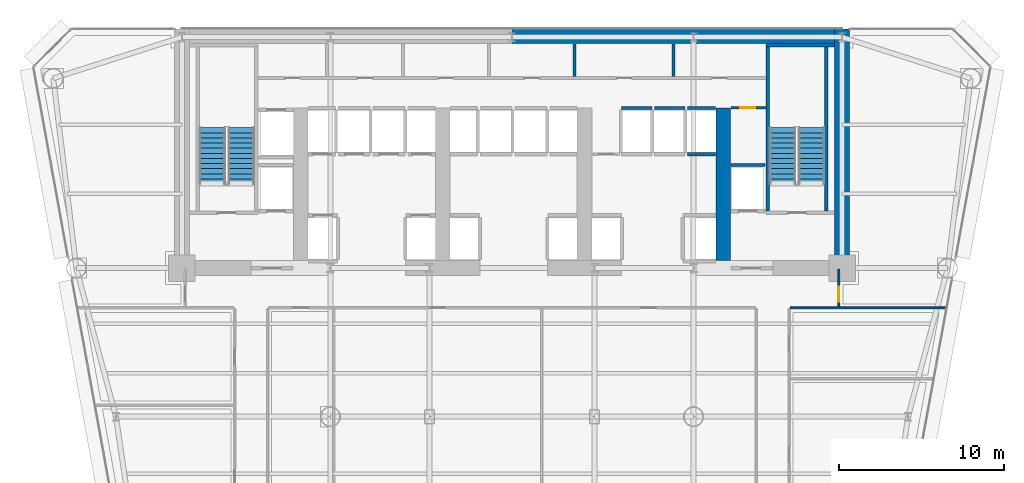
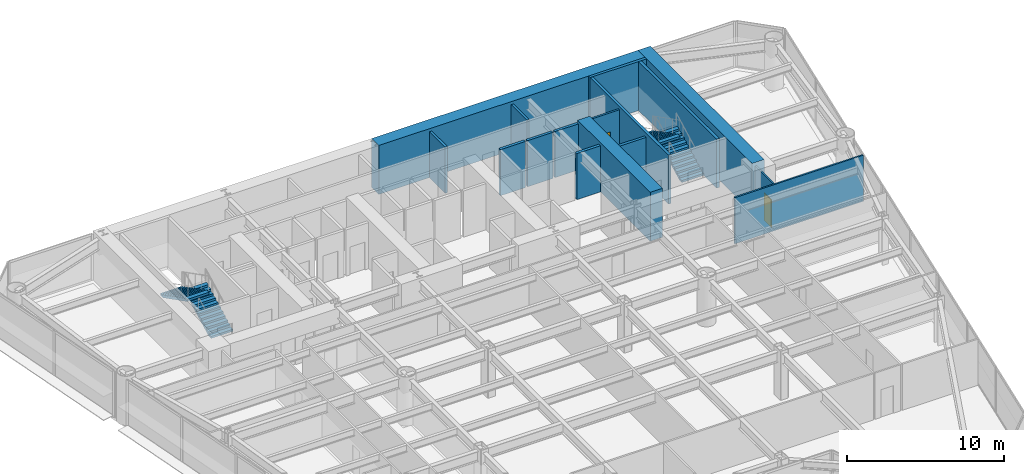
# One storey, part 10 of 14: 16 walls, 4 stair flights, 2 doors, 2 openings, 2 elements without a shape of their own.
"""IFC4 building model written with IfcOpenShell, lengths in metres."""

from ifc_helpers import new_model, si_unit, direction, frame, frame_2d, origin, place, context, subcontext, project, spatial, polyline, rectangle, outline, extrude, source, transform, mapped, material, layer, layer_set, type_object, element, fill, aggregate, save


model = new_model("IFC4")

# Units and contexts
model_context = context("Model", 3, precision=1e-05, world=origin(), true_north=direction((0.0, 1.0)))
body_context = subcontext(model_context, "Body", "Model", "MODEL_VIEW")
ifc_project = project(units=[si_unit("LENGTHUNIT", "METRE"), si_unit("AREAUNIT", "SQUARE_METRE"), si_unit("VOLUMEUNIT", "CUBIC_METRE"), si_unit("PLANEANGLEUNIT", "RADIAN"), si_unit("MASSUNIT", "GRAM", prefix="KILO")], contexts=[model_context])

# Site, building, storey
site_placement = place(None, origin())
site = spatial("IfcSite", under=ifc_project, at=site_placement, CompositionType="ELEMENT")
building_placement = place(site_placement, origin())
building = spatial("IfcBuilding", under=site, at=building_placement, Name="Vaeldorn Concourse Tower", CompositionType="ELEMENT")
storey_placement = place(building_placement, frame((0.0, 0.0, 49.199951171875)))
storey = spatial("IfcBuildingStorey", under=building, at=storey_placement, Name="L12", CompositionType="ELEMENT", Elevation=49.199951171875)

# Walls
ifc_material_1 = material(Name="Concrete C60/75", Category="concrete")
ifc_layer_1 = layer(ifc_material_1, 0.89990234375)
ifc_layer_set_1 = layer_set([ifc_layer_1], Name="Concrete C60/75")
wall_type_1 = type_object("IfcWallType", Name="WL-CORE-900", PredefinedType="SHEAR", material=ifc_layer_set_1)
wall_1_placement = place(storey_placement, frame((34.001953125, 50.550048828125, 0.0), z_axis=(0.0, 0.0, 1.0), x_axis=(1.0, 0.0, 0.0)))
element("IfcWall", 1, at=wall_1_placement, inside=storey, type_object=wall_type_1, Name="Rear Core Shear Wall L12 N2", PredefinedType="SHEAR", context=body_context, shape_type="SweptSolid", body=[
    extrude(rectangle(XDim=19.5439453125, YDim=0.89990234375, at=frame_2d((9.77197265625, 0.0))), origin(), (0.0, 0.0, 1.0), 3.800048828125),
])
wall_2_placement = place(storey_placement, frame((54.0, 36.5, 0.0), z_axis=(0.0, 0.0, 1.0), x_axis=(0.0, 1.0, 0.0)))
element("IfcWall", 2, at=wall_2_placement, inside=storey, type_object=wall_type_1, Name="Rear Core Shear Wall L12 E1", PredefinedType="SHEAR", context=body_context, shape_type="SweptSolid", body=[
    extrude(rectangle(XDim=14.5, YDim=0.89990234375, at=frame_2d((7.25, 0.0))), origin(), (0.0, 0.0, 1.0), 3.800048828125),
])
wall_3_placement = place(storey_placement, frame((46.800048828125, 36.969970703125, 0.0), z_axis=(0.0, 0.0, 1.0), x_axis=(0.0, 1.0, 0.0)))
element("IfcWall", 3, at=wall_3_placement, inside=storey, type_object=wall_type_1, Name="Rear Core Shear Wall L12 M4", PredefinedType="SHEAR", context=body_context, shape_type="SweptSolid", body=[
    extrude(rectangle(XDim=9.22998046875, YDim=0.89990234375, at=frame_2d((4.614990234375, 0.0))), origin(), (0.0, 0.0, 1.0), 3.800048828125),
])
ifc_material_2 = material(Name="Gypsum Board Partition", Category="gypsum")
ifc_layer_2 = layer(ifc_material_2, 0.1201171875)
ifc_layer_set_2 = layer_set([ifc_layer_2], Name="Gypsum Board Partition")
wall_type_2 = type_object("IfcWallType", Name="WL-PART-120", PredefinedType="PARTITIONING", material=ifc_layer_set_2)
wall_4_placement = place(storey_placement, frame((50.860107421875, 34.10009765625, 0.0), z_axis=(0.0, 0.0, 1.0), x_axis=(1.0, 0.0, 0.0)))
element("IfcWall", 4, at=wall_4_placement, inside=storey, type_object=wall_type_2, Name="Interior Wall PW-L12-CEWE", PredefinedType="PARTITIONING", context=body_context, shape_type="SweptSolid", body=[
    extrude(rectangle(XDim=9.44189453125, YDim=0.1201171875, at=frame_2d((4.720947265625, 0.0))), origin(), (0.0, 0.0, 1.0), 3.580078125),
])

# Wall, opening, door
wall_5_placement = place(storey_placement, frame((53.800048828125, 34.159912109375, 0.0), z_axis=(0.0, 0.0, 1.0), x_axis=(0.0, 1.0, 0.0)))
wall_5 = element("IfcWall", 5, at=wall_5_placement, inside=storey, type_object=wall_type_2, Name="Interior Wall PW-L12-CEET", PredefinedType="PARTITIONING", context=body_context, shape_type="SweptSolid", body=[
    extrude(rectangle(XDim=2.280029296875, YDim=0.1201171875, at=frame_2d((1.14013671875, 0.0))), origin(), (0.0, 0.0, 1.0), 3.580078125),
])
opening_1_placement = place(wall_5_placement, frame((0.300048828125, 0.0, 0.0)))
opening_1 = element("IfcOpeningElement", 6, at=opening_1_placement, cuts=wall_5, Name="Opening D-03", PredefinedType="OPENING", context=body_context, shape_type="SweptSolid", body=[
    extrude(rectangle(XDim=0.89990234375, YDim=2.14990234375, at=frame_2d((0.449951171875, 1.074951171875))), frame((0.0, 0.070068359375, 0.0), z_axis=(0.0, -1.0, 0.0), x_axis=(1.0, 0.0, 0.0)), (0.0, 0.0, 1.0), 0.14013671875),
])
ifc_material_3 = material(Name="Acoustic Bronze-Framed Glass Door", Category="glass")
door_type_1 = type_object("IfcDoorType", Name="DR-INT-900", OperationType="NOTDEFINED", PredefinedType="DOOR", material=ifc_material_3)
shared_shape_1 = source(origin(), body_context, "Body", "SweptSolid", [
    extrude(rectangle(XDim=0.89990234375, YDim=2.14990234375, at=frame_2d((0.449951171875, 1.074951171875))), frame((0.0, 0.02490234375, 0.0), z_axis=(0.0, -1.0, 0.0), x_axis=(1.0, 0.0, 0.0)), (0.0, 0.0, 1.0), 0.050048828125),
])
door_1_placement = place(opening_1_placement, origin())
door_1 = element("IfcDoor", 7, at=door_1_placement, inside=storey, type_object=door_type_1, Name="Interior Door DR-L12-NE1", OperationType="SINGLE_SWING_RIGHT", OverallHeight=2.14990234375, OverallWidth=0.89990234375, PredefinedType="DOOR", context=body_context, shape_type="MappedRepresentation", body=[
    mapped(shared_shape_1, transform((0.0, 0.0, 0.0), scale=1.0)),
])
fill(opening_1, door_1)

ifc_layer_3 = layer(ifc_material_2, 0.14990234375)
ifc_layer_set_3 = layer_set([ifc_layer_3], Name="Gypsum Board Partition")
wall_type_3 = type_object("IfcWallType", Name="WL-PART-150", PredefinedType="PARTITIONING", material=ifc_layer_set_3)
wall_6_placement = place(storey_placement, frame((47.280029296875, 46.219970703125, 0.0), z_axis=(0.0, 0.0, 1.0), x_axis=(1.0, 0.0, 0.0)))
wall_6 = element("IfcWall", 8, at=wall_6_placement, inside=storey, type_object=wall_type_3, Name="Interior Wall CW-L12-CRSE-N", PredefinedType="PARTITIONING", context=body_context, shape_type="SweptSolid", body=[
    extrude(rectangle(XDim=2.099853515625, YDim=0.14990234375, at=frame_2d((1.0498046875, 0.0))), origin(), (0.0, 0.0, 1.0), 3.580078125),
])
opening_2_placement = place(wall_6_placement, frame((0.550048828125, 0.0, 0.0)))
opening_2 = element("IfcOpeningElement", 9, at=opening_2_placement, cuts=wall_6, Name="Opening D-02", PredefinedType="OPENING", context=body_context, shape_type="SweptSolid", body=[
    extrude(rectangle(XDim=0.89990234375, YDim=2.10009765625, at=frame_2d((0.449951171875, 1.050048828125))), frame((0.0, 0.0849609375, 0.0), z_axis=(0.0, -1.0, 0.0), x_axis=(1.0, 0.0, 0.0)), (0.0, 0.0, 1.0), 0.169921875),
])
ifc_material_4 = material(Name="Fire-Rated Timber Leaf", Category="wood")
door_type_2 = type_object("IfcDoorType", Name="DR-FD30-900", OperationType="NOTDEFINED", PredefinedType="DOOR", material=ifc_material_4)
shared_shape_2 = source(origin(), body_context, "Body", "SweptSolid", [
    extrude(rectangle(XDim=0.89990234375, YDim=2.10009765625, at=frame_2d((0.449951171875, 1.050048828125))), frame((0.0, 0.02490234375, 0.0), z_axis=(0.0, -1.0, 0.0), x_axis=(1.0, 0.0, 0.0)), (0.0, 0.0, 1.0), 0.050048828125),
])
door_2_placement = place(opening_2_placement, origin())
door_2 = element("IfcDoor", 10, at=door_2_placement, inside=storey, type_object=door_type_2, Name="Interior Door DR-L12-CRSE", OperationType="SINGLE_SWING_RIGHT", OverallHeight=2.10009765625, OverallWidth=0.89990234375, PredefinedType="DOOR", context=body_context, shape_type="MappedRepresentation", body=[
    mapped(shared_shape_2, transform((0.0, 0.0, 0.0), scale=1.0)),
])
fill(opening_2, door_2)

# Walls
ifc_layer_4 = layer(ifc_material_2, 0.179931640625)
ifc_layer_set_4 = layer_set([ifc_layer_4], Name="Gypsum Board Partition")
wall_type_4 = type_object("IfcWallType", Name="WL-PLUMB-180", PredefinedType="PLUMBINGWALL", material=ifc_layer_set_4)
for number, where, z_axis, x_axis, name in (
    (11, (37.800048828125, 48.10009765625, 0.0), (0.0, 0.0, 1.0), (0.0, 1.0, 0.0), "Interior Wall CW-L12-NDIV4"),
    (12, (43.800048828125, 48.10009765625, 0.0), (0.0, 0.0, 1.0), (0.0, 1.0, 0.0), "Interior Wall CW-L12-NDIV5"),
):
    element("IfcWall", number, at=place(storey_placement, frame(where, z_axis=z_axis, x_axis=x_axis)), inside=storey, type_object=wall_type_4, Name=name, PredefinedType="PLUMBINGWALL", context=body_context, shape_type="SweptSolid", body=[
        extrude(rectangle(XDim=1.97998046875, YDim=0.179931640625, at=frame_2d((0.989990234375, 0.0))), origin(), (0.0, 0.0, 1.0), 3.580078125),
    ])
ifc_material_5 = material(Name="Concrete C50/60", Category="concrete")
ifc_layer_5 = layer(ifc_material_5, 0.199951171875)
ifc_layer_set_5 = layer_set([ifc_layer_5], Name="Concrete C50/60")
wall_type_5 = type_object("IfcWallType", Name="WL-SHAFT-200", PredefinedType="SOLIDWALL", material=ifc_layer_set_5)
wall_7_placement = place(storey_placement, frame((49.39990234375, 50.0, 0.0), z_axis=(0.0, 0.0, 1.0), x_axis=(1.0, 0.0, 0.0)))
element("IfcWall", 13, at=wall_7_placement, inside=storey, type_object=wall_type_5, Name="Stair Shaft Wall CW-L12-ST-2-N", PredefinedType="SOLIDWALL", context=body_context, shape_type="SweptSolid", body=[
    extrude(rectangle(XDim=4.150146484375, YDim=0.199951171875, at=frame_2d((2.0751953125, 0.0))), origin(), (0.0, 0.0, 1.0), 3.800048828125),
])
for number, where, z_axis, x_axis, name in (
    (14, (49.5, 39.9599609375, 0.0), (0.0, 0.0, 1.0), (0.0, 1.0, 0.0), "Stair Shaft Wall CW-L12-ST-2-W"),
    (15, (53.050048828125, 39.9599609375, 0.0), (0.0, 0.0, 1.0), (0.0, 1.0, 0.0), "Stair Shaft Wall CW-L12-ST-2-E"),
):
    element("IfcWall", number, at=place(storey_placement, frame(where, z_axis=z_axis, x_axis=x_axis)), inside=storey, type_object=wall_type_5, Name=name, PredefinedType="SOLIDWALL", context=body_context, shape_type="SweptSolid", body=[
        extrude(rectangle(XDim=9.929931640625, YDim=0.199951171875, at=frame_2d((4.96484375, 0.0))), origin(), (0.0, 0.0, 1.0), 3.800048828125),
    ])
for number, where, z_axis, x_axis, name in (
    (16, (40.6201171875, 46.199951171875, 0.0), (0.0, 0.0, 1.0), (1.0, 0.0, 0.0), "Interior Wall CW-L12-LFB-LF-15"),
    (17, (42.6201171875, 46.199951171875, 0.0), (0.0, 0.0, 1.0), (1.0, 0.0, 0.0), "Interior Wall CW-L12-LFB-LF-16"),
):
    element("IfcWall", number, at=place(storey_placement, frame(where, z_axis=z_axis, x_axis=x_axis)), inside=storey, type_object=wall_type_5, Name=name, PredefinedType="SOLIDWALL", context=body_context, shape_type="SweptSolid", body=[
        extrude(rectangle(XDim=1.85986328125, YDim=0.199951171875, at=frame_2d((0.929931640625, 0.0))), origin(), (0.0, 0.0, 1.0), 3.580078125),
    ])
for number, where, z_axis, x_axis, name in (
    (18, (44.6201171875, 43.39990234375, 0.0), (0.0, 0.0, 1.0), (1.0, 0.0, 0.0), "Interior Wall CW-L12-LF-LF-17"),
    (19, (44.6201171875, 46.199951171875, 0.0), (0.0, 0.0, 1.0), (1.0, 0.0, 0.0), "Interior Wall CW-L12-LFB-LF-17"),
):
    element("IfcWall", number, at=place(storey_placement, frame(where, z_axis=z_axis, x_axis=x_axis)), inside=storey, type_object=wall_type_5, Name=name, PredefinedType="SOLIDWALL", context=body_context, shape_type="SweptSolid", body=[
        extrude(rectangle(XDim=1.719970703125, YDim=0.199951171875, at=frame_2d((0.85986328125, 0.0))), origin(), (0.0, 0.0, 1.0), 3.580078125),
    ])
wall_8_placement = place(storey_placement, frame((47.260009765625, 42.75, 0.0), z_axis=(0.0, 0.0, 1.0), x_axis=(1.0, 0.0, 0.0)))
element("IfcWall", 20, at=wall_8_placement, inside=storey, type_object=wall_type_5, Name="Interior Wall CW-L12-LFB-LF-FF2", PredefinedType="SOLIDWALL", context=body_context, shape_type="SweptSolid", body=[
    extrude(rectangle(XDim=2.070068359375, YDim=0.199951171875, at=frame_2d((1.03515625, 0.0))), origin(), (0.0, 0.0, 1.0), 3.580078125),
])

# Stair, stair flights
ifc_material_6 = material(Name="Precast concrete C40/50", Category="concrete")
stair_type = type_object("IfcStairType", Name="STR-DOG-24x158", PredefinedType="HALF_TURN_STAIR", material=ifc_material_6)
stair_1_placement = place(storey_placement, origin())
stair_1 = element("IfcStair", 21, at=stair_1_placement, inside=storey, type_object=stair_type, Name="L12 West Core Exit Stair ST-1", PredefinedType="HALF_TURN_STAIR")
stair_flight_type = type_object("IfcStairFlightType", Name="STF-STR-12x158", PredefinedType="STRAIGHT", material=ifc_material_6)
stair_flight_1_placement = place(storey_placement, frame((17.60009765625, 41.60009765625, 0.0), z_axis=(0.0, 0.0, 1.0), x_axis=(0.0, 1.0, 0.0)))
stair_flight_1 = element("IfcStairFlight", 22, at=stair_flight_1_placement, type_object=stair_flight_type, Name="ST-1 flight 1", NumberOfRisers=12, NumberOfTreads=11, PredefinedType="STRAIGHT", RiserHeight=0.158333333, TreadLength=0.31, context=body_context, shape_type="SweptSolid", body=[
    extrude(outline(polyline([(0.0, 0.0), (0.0, 0.158447265625), (0.31005859375, 0.158447265625), (0.31005859375, 0.316650390625), (0.6201171875, 0.316650390625), (0.6201171875, 0.47509765625), (0.929931640625, 0.47509765625), (0.929931640625, 0.63330078125), (1.239990234375, 0.63330078125), (1.239990234375, 0.791748046875), (1.550048828125, 0.791748046875), (1.550048828125, 0.949951171875), (1.860107421875, 0.949951171875), (1.860107421875, 1.1083984375), (2.169921875, 1.1083984375), (2.169921875, 1.2666015625), (2.47998046875, 1.2666015625), (2.47998046875, 1.425048828125), (2.7900390625, 1.425048828125), (2.7900390625, 1.583251953125), (3.10009765625, 1.583251953125), (3.10009765625, 1.74169921875), (3.409912109375, 1.74169921875), (3.409912109375, 1.89990234375), (3.409912109375, 1.5732421875), (0.32958984375, 0.0), (0.0, 0.0)])), frame((0.0, 0.800048828125, 0.0), z_axis=(0.0, -1.0, 0.0), x_axis=(1.0, 0.0, 0.0)), (0.0, 0.0, 1.0), 1.60009765625),
])
stair_flight_2_placement = place(storey_placement, frame((15.85009765625, 45.010009765625, 1.900146484375), z_axis=(0.0, 0.0, 1.0), x_axis=(0.0, -1.0, 0.0)))
stair_flight_2 = element("IfcStairFlight", 23, at=stair_flight_2_placement, type_object=stair_flight_type, Name="ST-1 flight 2", NumberOfRisers=12, NumberOfTreads=11, PredefinedType="STRAIGHT", RiserHeight=0.158333333, TreadLength=0.31, context=body_context, shape_type="SweptSolid", body=[
    extrude(outline(polyline([(0.0, 0.0), (0.0, 0.158447265625), (0.31005859375, 0.158447265625), (0.31005859375, 0.316650390625), (0.6201171875, 0.316650390625), (0.6201171875, 0.47509765625), (0.929931640625, 0.47509765625), (0.929931640625, 0.63330078125), (1.239990234375, 0.63330078125), (1.239990234375, 0.791748046875), (1.550048828125, 0.791748046875), (1.550048828125, 0.949951171875), (1.860107421875, 0.949951171875), (1.860107421875, 1.1083984375), (2.169921875, 1.1083984375), (2.169921875, 1.2666015625), (2.47998046875, 1.2666015625), (2.47998046875, 1.425048828125), (2.7900390625, 1.425048828125), (2.7900390625, 1.583251953125), (3.10009765625, 1.583251953125), (3.10009765625, 1.74169921875), (3.409912109375, 1.74169921875), (3.409912109375, 1.89990234375), (3.409912109375, 1.5732421875), (0.32958984375, 0.0), (0.0, 0.0)])), frame((0.0, 0.800048828125, 0.0), z_axis=(0.0, -1.0, 0.0), x_axis=(1.0, 0.0, 0.0)), (0.0, 0.0, 1.0), 1.60009765625),
])
aggregate(stair_1, [stair_flight_1, stair_flight_2])

stair_2_placement = place(storey_placement, origin())
stair_2 = element("IfcStair", 24, at=stair_2_placement, inside=storey, type_object=stair_type, Name="L12 East Core Exit Stair ST-2", PredefinedType="HALF_TURN_STAIR")
stair_flight_3_placement = place(storey_placement, frame((52.14990234375, 41.60009765625, 0.0), z_axis=(0.0, 0.0, 1.0), x_axis=(0.0, 1.0, 0.0)))
stair_flight_3 = element("IfcStairFlight", 25, at=stair_flight_3_placement, type_object=stair_flight_type, Name="ST-2 flight 1", NumberOfRisers=12, NumberOfTreads=11, PredefinedType="STRAIGHT", RiserHeight=0.158333333, TreadLength=0.31, context=body_context, shape_type="SweptSolid", body=[
    extrude(outline(polyline([(0.0, 0.0), (0.0, 0.158447265625), (0.31005859375, 0.158447265625), (0.31005859375, 0.316650390625), (0.6201171875, 0.316650390625), (0.6201171875, 0.47509765625), (0.929931640625, 0.47509765625), (0.929931640625, 0.63330078125), (1.239990234375, 0.63330078125), (1.239990234375, 0.791748046875), (1.550048828125, 0.791748046875), (1.550048828125, 0.949951171875), (1.860107421875, 0.949951171875), (1.860107421875, 1.1083984375), (2.169921875, 1.1083984375), (2.169921875, 1.2666015625), (2.47998046875, 1.2666015625), (2.47998046875, 1.425048828125), (2.7900390625, 1.425048828125), (2.7900390625, 1.583251953125), (3.10009765625, 1.583251953125), (3.10009765625, 1.74169921875), (3.409912109375, 1.74169921875), (3.409912109375, 1.89990234375), (3.409912109375, 1.5732421875), (0.32958984375, 0.0), (0.0, 0.0)])), frame((0.0, 0.800048828125, 0.0), z_axis=(0.0, -1.0, 0.0), x_axis=(1.0, 0.0, 0.0)), (0.0, 0.0, 1.0), 1.60009765625),
])
stair_flight_4_placement = place(storey_placement, frame((50.39990234375, 45.010009765625, 1.900146484375), z_axis=(0.0, 0.0, 1.0), x_axis=(0.0, -1.0, 0.0)))
stair_flight_4 = element("IfcStairFlight", 26, at=stair_flight_4_placement, type_object=stair_flight_type, Name="ST-2 flight 2", NumberOfRisers=12, NumberOfTreads=11, PredefinedType="STRAIGHT", RiserHeight=0.158333333, TreadLength=0.31, context=body_context, shape_type="SweptSolid", body=[
    extrude(outline(polyline([(0.0, 0.0), (0.0, 0.158447265625), (0.31005859375, 0.158447265625), (0.31005859375, 0.316650390625), (0.6201171875, 0.316650390625), (0.6201171875, 0.47509765625), (0.929931640625, 0.47509765625), (0.929931640625, 0.63330078125), (1.239990234375, 0.63330078125), (1.239990234375, 0.791748046875), (1.550048828125, 0.791748046875), (1.550048828125, 0.949951171875), (1.860107421875, 0.949951171875), (1.860107421875, 1.1083984375), (2.169921875, 1.1083984375), (2.169921875, 1.2666015625), (2.47998046875, 1.2666015625), (2.47998046875, 1.425048828125), (2.7900390625, 1.425048828125), (2.7900390625, 1.583251953125), (3.10009765625, 1.583251953125), (3.10009765625, 1.74169921875), (3.409912109375, 1.74169921875), (3.409912109375, 1.89990234375), (3.409912109375, 1.5732421875), (0.32958984375, 0.0), (0.0, 0.0)])), frame((0.0, 0.800048828125, 0.0), z_axis=(0.0, -1.0, 0.0), x_axis=(1.0, 0.0, 0.0)), (0.0, 0.0, 1.0), 1.60009765625),
])
aggregate(stair_2, [stair_flight_3, stair_flight_4])

save(model, "model.ifc")
